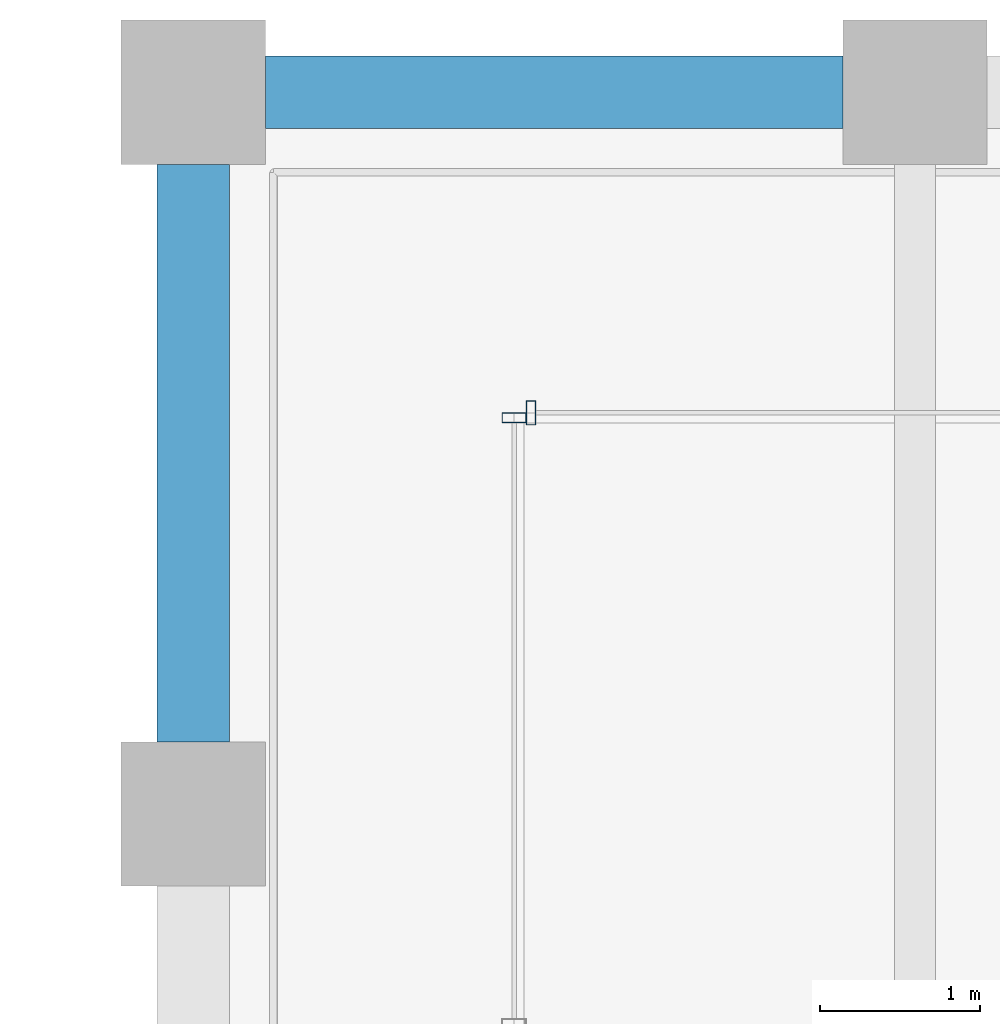
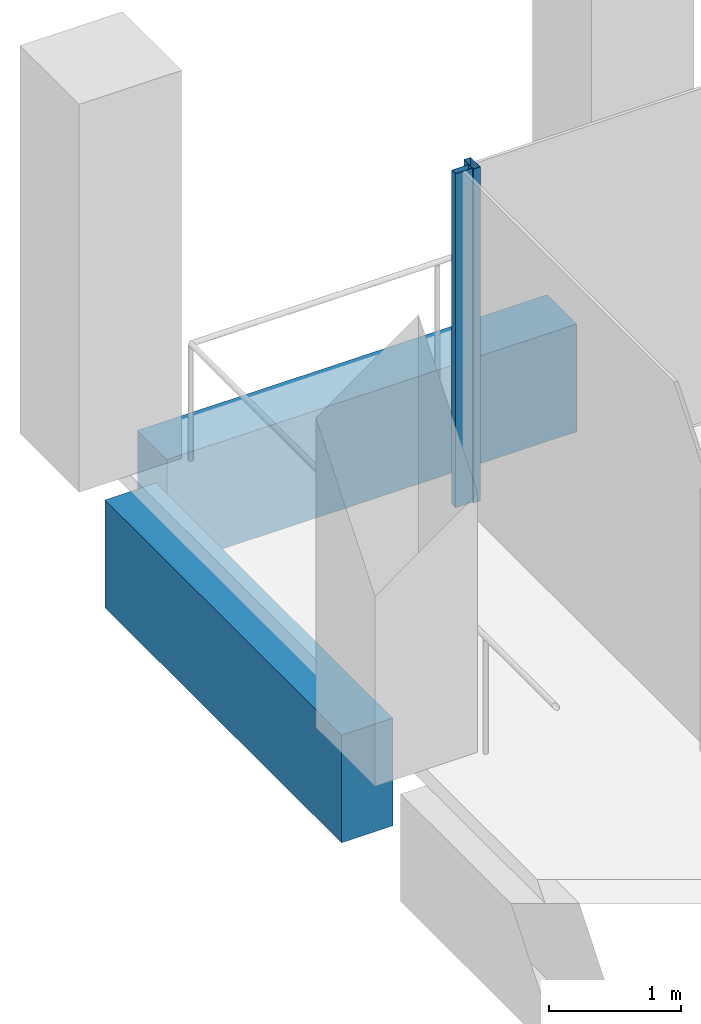
# One storey, part 21 of 40: 2 beams, 2 members, 2 elements without a shape of their own.
"""IFC4 building model written with IfcOpenShell, lengths in metres."""

from ifc_helpers import new_model, si_unit, direction, frame, origin, origin_2d, place, context, subcontext, project, spatial, rectangle, hollow_rectangle, extrude, material, material_profile, profile_set, type_object, element, aggregate, save


model = new_model("IFC4")

# Units and contexts
model_context = context("Model", 3, precision=1e-05, world=origin(), true_north=direction((0.0, 1.0)))
body_context = subcontext(model_context, "Body", "Model", "MODEL_VIEW")
ifc_project = project(units=[si_unit("LENGTHUNIT", "METRE"), si_unit("AREAUNIT", "SQUARE_METRE"), si_unit("VOLUMEUNIT", "CUBIC_METRE"), si_unit("PLANEANGLEUNIT", "RADIAN"), si_unit("MASSUNIT", "GRAM", prefix="KILO")], contexts=[model_context])

# Site, building, storey
site_placement = place(None, origin())
site = spatial("IfcSite", under=ifc_project, at=site_placement, CompositionType="ELEMENT")
building_placement = place(site_placement, origin())
building = spatial("IfcBuilding", under=site, at=building_placement, Name="Altepetl Exchange Towers", CompositionType="ELEMENT")
storey_placement = place(building_placement, frame((0.0, 0.0, 169.0)))
storey = spatial("IfcBuildingStorey", under=building, at=storey_placement, Name="L42", CompositionType="ELEMENT", Elevation=169.0)

# Curtain wall, member
ifc_material_1 = material(Name="Aluminium 6063-T6 glazing", Category="aluminium")
curtain_wall_type = type_object("IfcCurtainWallType", Name="Loggia glazing system", PredefinedType="NOTDEFINED", material=ifc_material_1)
curtain_wall_1_placement = place(storey_placement, origin())
curtain_wall_1 = element("IfcCurtainWall", 1, at=curtain_wall_1_placement, inside=storey, type_object=curtain_wall_type, Name="CW1 run", PredefinedType="NOTDEFINED")
ifc_material_2 = material(Name="Aluminium 6063-T6", Category="aluminium")
ifc_material_profile_1 = material_profile(ifc_material_2, hollow_rectangle(XDim=0.06005859375, YDim=0.14990234375, WallThickness=0.0029296875, at=origin_2d()), Name="Mullion 60x150 aluminium")
ifc_profile_set_1 = profile_set([ifc_material_profile_1], Name="Aluminium 6063-T6")
member_type = type_object("IfcMemberType", Name="Mullion 60x150 aluminium", PredefinedType="MULLION", material=ifc_profile_set_1)
member_1_placement = place(storey_placement, frame((42.60498046875, 70.0, 0.0), z_axis=(0.0, 0.0, 1.0), x_axis=(-1.0, 0.0, 0.0)))
member_1 = element("IfcMember", 2, at=member_1_placement, type_object=member_type, Name="MU1 mullion", PredefinedType="MULLION", context=body_context, shape_type="SweptSolid", body=[
    extrude(hollow_rectangle(XDim=0.06005859375, YDim=0.14990234375, WallThickness=0.0029296875, at=origin_2d()), origin(), (0.0, 0.0, 1.0), 3.10009765625),
])
aggregate(curtain_wall_1, [member_1])

curtain_wall_2_placement = place(storey_placement, origin())
curtain_wall_2 = element("IfcCurtainWall", 3, at=curtain_wall_2_placement, inside=storey, type_object=curtain_wall_type, Name="CW1 run", PredefinedType="NOTDEFINED")
member_2_placement = place(storey_placement, frame((42.5, 69.969970703125, 0.0), z_axis=(0.0, 0.0, 1.0), x_axis=(0.0, -1.0, 0.0)))
member_2 = element("IfcMember", 4, at=member_2_placement, type_object=member_type, Name="MU1 mullion", PredefinedType="MULLION", context=body_context, shape_type="SweptSolid", body=[
    extrude(hollow_rectangle(XDim=0.06005859375, YDim=0.14990234375, WallThickness=0.0029296875, at=origin_2d()), origin(), (0.0, 0.0, 1.0), 3.10009765625),
])
aggregate(curtain_wall_2, [member_2])

# Beams
ifc_material_3 = material(Name="Concrete C50/60 precast with cantera rosa facing", Category="concrete")
ifc_material_profile_2 = material_profile(ifc_material_3, rectangle(XDim=0.449951171875, YDim=1.0, at=origin_2d()), Name="450 x 1000")
ifc_profile_set_2 = profile_set([ifc_material_profile_2], Name="Concrete C50/60 precast with cantera rosa facing")
beam_type_1 = type_object("IfcBeamType", Name="Spandrel beam 450x1000 cantera rosa", PredefinedType="SPANDREL", material=ifc_profile_set_2)
beam_1_placement = place(storey_placement, frame((44.550048828125, 72.0, -0.64990234375), z_axis=(-1.0, 0.0, 0.0), x_axis=(0.0, -1.0, 0.0)))
element("IfcBeam", 5, at=beam_1_placement, inside=storey, type_object=beam_type_1, Name="sp:A:L42:029", PredefinedType="SPANDREL", context=body_context, shape_type="SweptSolid", body=[
    extrude(rectangle(XDim=0.449951171875, YDim=1.0, at=origin_2d()), origin(), (0.0, 0.0, 1.0), 3.60009765625),
])
ifc_material_4 = material(Name="Concrete C50/60 precast with tezontle facing", Category="concrete")
ifc_material_profile_3 = material_profile(ifc_material_4, rectangle(XDim=0.449951171875, YDim=1.0, at=origin_2d()), Name="450 x 1000")
ifc_profile_set_3 = profile_set([ifc_material_profile_3], Name="Concrete C50/60 precast with tezontle facing")
beam_type_2 = type_object("IfcBeamType", Name="Spandrel beam 450x1000 tezontle", PredefinedType="SPANDREL", material=ifc_profile_set_3)
beam_2_placement = place(storey_placement, frame((40.5, 71.550048828125, -0.64990234375), z_axis=(0.0, -1.0, 0.0), x_axis=(1.0, 0.0, 0.0)))
element("IfcBeam", 6, at=beam_2_placement, inside=storey, type_object=beam_type_2, Name="sp:A:L42:030", PredefinedType="SPANDREL", context=body_context, shape_type="SweptSolid", body=[
    extrude(rectangle(XDim=0.449951171875, YDim=1.0, at=origin_2d()), origin(), (0.0, 0.0, 1.0), 3.60009765625),
])

save(model, "model.ifc")
